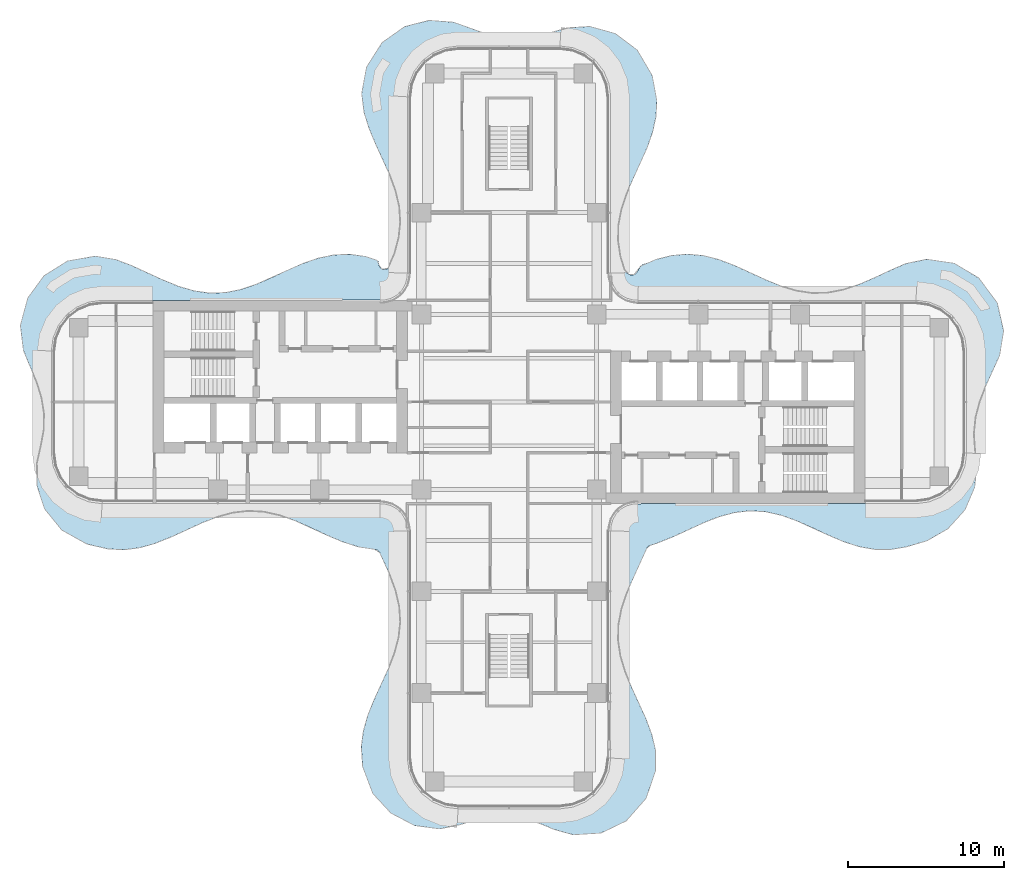
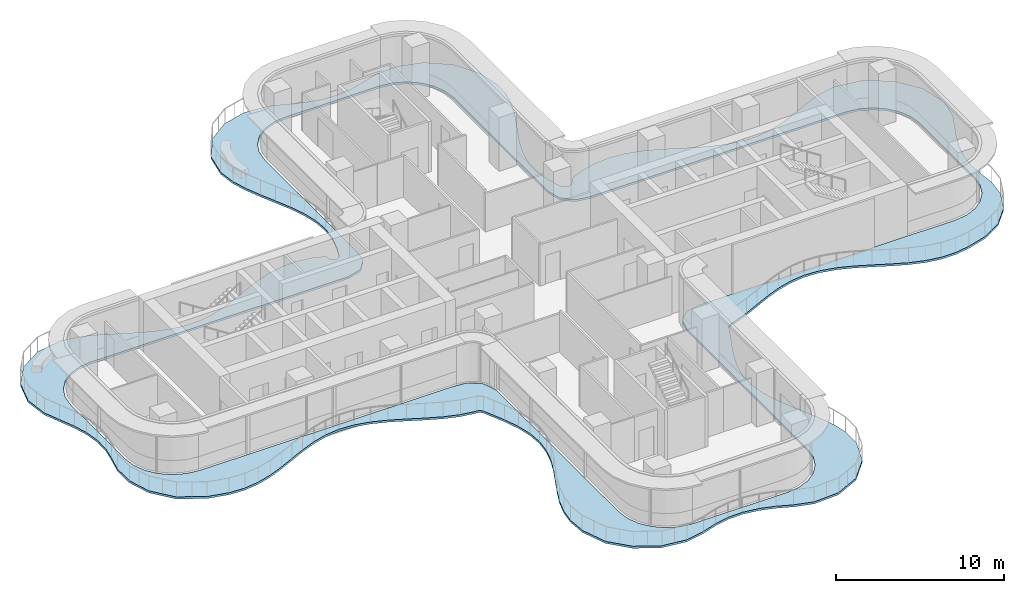
# One storey, part 10 of 18: 1 slab.
"""IFC4 building model written with IfcOpenShell, lengths in metres."""

from ifc_helpers import new_model, si_unit, direction, frame, origin, place, context, subcontext, project, spatial, polyline, outline, extrude, material, layer, layer_set, type_object, element, save


model = new_model("IFC4")

# Units and contexts
model_context = context("Model", 3, precision=1e-05, world=origin(), true_north=direction((0.0, 1.0)))
body_context = subcontext(model_context, "Body", "Model", "MODEL_VIEW")
ifc_project = project(units=[si_unit("LENGTHUNIT", "METRE"), si_unit("AREAUNIT", "SQUARE_METRE"), si_unit("VOLUMEUNIT", "CUBIC_METRE"), si_unit("PLANEANGLEUNIT", "RADIAN"), si_unit("MASSUNIT", "GRAM", prefix="KILO")], contexts=[model_context])

# Site, building, storey
site_placement = place(None, origin())
site = spatial("IfcSite", under=ifc_project, at=site_placement, CompositionType="ELEMENT")
building_placement = place(site_placement, origin())
building = spatial("IfcBuilding", under=site, at=building_placement, Name="Trellis Farm Tower", CompositionType="ELEMENT")
storey_placement = place(building_placement, frame((0.0, 0.0, 204.89990234375)))
storey = spatial("IfcBuildingStorey", under=building, at=storey_placement, Name="L45", CompositionType="ELEMENT", Elevation=204.89990234375)

# Slab
ifc_material = material(Name="Concrete C40/50", Category="concrete")
ifc_layer = layer(ifc_material, 0.14990234375)
ifc_layer_set = layer_set([ifc_layer], Name="Balcony slab 150")
slab_type = type_object("IfcSlabType", Name="Balcony slab 150", PredefinedType="FLOOR", material=ifc_layer_set)
slab_placement = place(storey_placement, frame((0.0, 0.0, -0.14990234375)))
element("IfcSlab", 1, at=slab_placement, inside=storey, type_object=slab_type, Name="Balcony slab", PredefinedType="FLOOR", context=body_context, shape_type="SweptSolid", body=[
    extrude(outline(polyline([(-8.623779296875, -9.4111328125), (-8.690185546875, -9.416259765625), (-8.727783203125, -9.414306640625), (-9.640380859375, -9.25341796875), (-9.66015625, -9.248291015625), (-10.645263671875, -8.93212890625), (-10.65771484375, -8.927490234375), (-11.650390625, -8.5068359375), (-11.6552734375, -8.504638671875), (-12.654541015625, -8.0380859375), (-12.656005859375, -8.03759765625), (-13.658447265625, -7.593017578125), (-13.66357421875, -7.591064453125), (-14.662353515625, -7.23388671875), (-14.67138671875, -7.2314453125), (-15.664794921875, -7.01171875), (-15.6767578125, -7.010009765625), (-16.662841796875, -6.955810546875), (-16.675537109375, -6.956298828125), (-17.656005859375, -7.072021484375), (-17.666748046875, -7.07421875), (-18.610107421875, -7.3310546875), (-18.61767578125, -7.33349609375), (-19.6357421875, -7.731689453125), (-19.639892578125, -7.7333984375), (-21.614501953125, -8.640869140625), (-21.62158203125, -8.643798828125), (-22.60302734375, -9.03515625), (-22.617919921875, -9.040283203125), (-23.59228515625, -9.31494140625), (-23.614013671875, -9.319580078125), (-24.583984375, -9.4423828125), (-24.6103515625, -9.443359375), (-25.610595703125, -9.393798828125), (-25.63720703125, -9.39013671875), (-26.970703125, -9.080078125), (-27.010009765625, -9.06494140625), (-28.575439453125, -8.188232421875), (-28.599365234375, -8.17138671875), (-28.62744140625, -8.147705078125), (-28.6474609375, -8.126953125), (-29.66943359375, -6.845703125), (-29.6845703125, -6.822998046875), (-29.701416015625, -6.79150390625), (-29.7119140625, -6.7666015625), (-30.16748046875, -5.337646484375), (-30.174560546875, -5.291748046875), (-30.173095703125, -3.90966796875), (-30.16943359375, -3.876953125), (-29.915771484375, -2.74609375), (-29.915283203125, -2.743408203125), (-29.7373046875, -1.790283203125), (-29.736083984375, -1.777587890625), (-29.71923828125, -0.735107421875), (-29.72021484375, -0.72216796875), (-29.87646484375, 0.257080078125), (-29.87890625, 0.26708984375), (-30.169677734375, 1.215576171875), (-30.172119140625, 1.222412109375), (-31.03173828125, 3.2958984375), (-31.042236328125, 3.33544921875), (-31.224609375, 4.862548828125), (-31.22509765625, 4.891845703125), (-31.222412109375, 4.9287109375), (-31.217529296875, 4.956787109375), (-30.7587890625, 6.623779296875), (-30.749267578125, 6.6494140625), (-30.733642578125, 6.68115234375), (-30.719482421875, 6.70458984375), (-29.737060546875, 8.042724609375), (-29.718017578125, 8.06396484375), (-29.69091796875, 8.089111328125), (-29.668212890625, 8.1064453125), (-28.240478515625, 8.993896484375), (-28.21435546875, 9.0068359375), (-28.179443359375, 9.02001953125), (-28.1513671875, 9.027587890625), (-26.4501953125, 9.31884765625), (-26.3994140625, 9.31884765625), (-25.13134765625, 9.10107421875), (-25.103271484375, 9.09326171875), (-24.13525390625, 8.724853515625), (-24.126220703125, 8.720947265625), (-22.15087890625, 7.81494140625), (-22.148193359375, 7.813720703125), (-21.132568359375, 7.3994140625), (-21.12548828125, 7.396728515625), (-20.129150390625, 7.103515625), (-20.118408203125, 7.10107421875), (-19.128662109375, 6.962158203125), (-19.11572265625, 6.96142578125), (-18.13330078125, 6.9931640625), (-18.120849609375, 6.994384765625), (-17.141845703125, 7.190185546875), (-17.13232421875, 7.192626953125), (-16.152099609375, 7.525634765625), (-16.146240234375, 7.52783203125), (-15.17138671875, 7.9501953125), (-15.169189453125, 7.950927734375), (-14.168701171875, 8.418701171875), (-14.165283203125, 8.42041015625), (-13.171142578125, 8.854248046875), (-13.160400390625, 8.858642578125), (-12.195556640625, 9.192138671875), (-12.177001953125, 9.197265625), (-11.20556640625, 9.3994140625), (-11.1806640625, 9.40234375), (-10.1806640625, 9.4404296875), (-10.154296875, 9.439208984375), (-9.183837890625, 9.304931640625), (-9.15625, 9.29833984375), (-8.42822265625, 9.05078125), (-8.357177734375, 8.99951171875), (-8.326904296875, 8.917236328125), (-8.319580078125, 8.79248046875), (-8.31591796875, 8.772705078125), (-8.26513671875, 8.6240234375), (-8.242919921875, 8.59130859375), (-8.130615234375, 8.496826171875), (-8.094482421875, 8.48046875), (-7.94970703125, 8.457763671875), (-7.910400390625, 8.46240234375), (-7.7744140625, 8.517578125), (-7.743408203125, 8.541748046875), (-7.6494140625, 8.667724609375), (-7.6396484375, 8.685302734375), (-7.32470703125, 9.49951171875), (-7.322021484375, 9.507080078125), (-7.06201171875, 10.486328125), (-7.06005859375, 10.49755859375), (-6.95458984375, 11.47802734375), (-6.954345703125, 11.490966796875), (-7.01904296875, 12.477294921875), (-7.02099609375, 12.4892578125), (-7.250244140625, 13.483154296875), (-7.2529296875, 13.491943359375), (-7.616943359375, 14.490478515625), (-7.619140625, 14.49609375), (-8.530517578125, 16.492919921875), (-8.532470703125, 16.497314453125), (-8.950927734375, 17.495849609375), (-8.955810546875, 17.50927734375), (-9.26318359375, 18.49365234375), (-9.268798828125, 18.519287109375), (-9.4169921875, 19.67626953125), (-9.416015625, 19.72216796875), (-9.12109375, 21.343994140625), (-9.11328125, 21.371826171875), (-9.099609375, 21.40673828125), (-9.08642578125, 21.4326171875), (-8.1103515625, 22.968017578125), (-8.092041015625, 22.9912109375), (-8.0654296875, 23.01904296875), (-8.043212890625, 23.038330078125), (-6.71923828125, 23.9619140625), (-6.696044921875, 23.97509765625), (-6.664306640625, 23.98974609375), (-6.63916015625, 23.998779296875), (-5.1318359375, 24.385986328125), (-5.082763671875, 24.390380859375), (-3.552490234375, 24.270751953125), (-3.51318359375, 24.262451171875), (-1.359130859375, 23.48388671875), (-1.35009765625, 23.4814453125), (-0.41259765625, 23.269775390625), (-0.40087890625, 23.26806640625), (0.58056640625, 23.204345703125), (0.59375, 23.20458984375), (1.6337890625, 23.322021484375), (1.645751953125, 23.324462890625), (3.730224609375, 23.911376953125), (3.761962890625, 23.916748046875), (5.149169921875, 23.99951171875), (5.1982421875, 23.994384765625), (6.730712890625, 23.56884765625), (6.75732421875, 23.55859375), (6.7890625, 23.54296875), (6.8125, 23.528564453125), (8.171142578125, 22.5068359375), (8.193115234375, 22.48681640625), (8.21875, 22.457763671875), (8.236328125, 22.43359375), (9.13623046875, 20.885009765625), (9.147216796875, 20.86181640625), (9.158935546875, 20.830322265625), (9.165771484375, 20.804931640625), (9.441650390625, 19.278564453125), (9.44384765625, 19.244384765625), (9.394287109375, 18.251220703125), (9.39111328125, 18.226806640625), (9.179443359375, 17.255126953125), (9.17431640625, 17.237060546875), (8.828369140625, 16.259033203125), (8.82421875, 16.24853515625), (8.3896484375, 15.262939453125), (8.38818359375, 15.260009765625), (7.922119140625, 14.262451171875), (7.921142578125, 14.26025390625), (7.492919921875, 13.258544921875), (7.49072265625, 13.25244140625), (7.17578125, 12.30029296875), (7.17333984375, 12.290771484375), (6.9873046875, 11.3115234375), (6.986083984375, 11.29931640625), (6.965087890625, 10.31640625), (6.9658203125, 10.303466796875), (7.114990234375, 9.31494140625), (7.117431640625, 9.3037109375), (7.384521484375, 8.44384765625), (7.39599609375, 8.42138671875), (7.51953125, 8.25634765625), (7.53759765625, 8.239013671875), (7.642822265625, 8.168701171875), (7.65869140625, 8.160400390625), (7.7880859375, 8.11279296875), (7.82275390625, 8.10888671875), (7.950927734375, 8.12451171875), (7.9833984375, 8.136962890625), (8.09765625, 8.214599609375), (8.11083984375, 8.226318359375), (8.162353515625, 8.283447265625), (8.17041015625, 8.294189453125), (8.41015625, 8.680908203125), (8.441162109375, 8.716796875), (8.48828125, 8.75634765625), (8.531005859375, 8.781494140625), (9.426025390625, 9.12353515625), (9.44384765625, 9.129150390625), (10.395751953125, 9.3623046875), (10.4189453125, 9.3662109375), (11.38916015625, 9.447509765625), (11.415283203125, 9.447509765625), (12.388427734375, 9.360107421875), (12.411865234375, 9.35595703125), (13.41162109375, 9.102783203125), (13.42822265625, 9.09765625), (14.40771484375, 8.724853515625), (14.416748046875, 8.720947265625), (16.39208984375, 7.81494140625), (16.39501953125, 7.813720703125), (17.3779296875, 7.41064453125), (17.384765625, 7.408203125), (18.364501953125, 7.1142578125), (18.375, 7.112060546875), (19.3544921875, 6.9658203125), (19.3671875, 6.96484375), (20.351806640625, 6.98681640625), (20.3642578125, 6.988037109375), (21.356201171875, 7.17822265625), (21.365966796875, 7.1806640625), (22.364013671875, 7.51513671875), (22.369873046875, 7.517578125), (23.37158203125, 7.9501953125), (23.373779296875, 7.950927734375), (24.3701171875, 8.4169921875), (24.373779296875, 8.41845703125), (25.339111328125, 8.8408203125), (25.368896484375, 8.85009765625), (26.673583984375, 9.119384765625), (26.69970703125, 9.122314453125), (26.7333984375, 9.123291015625), (26.759521484375, 9.12158203125), (28.38037109375, 8.8828125), (28.408935546875, 8.875732421875), (28.444580078125, 8.863037109375), (28.47119140625, 8.8505859375), (30.014892578125, 7.928466796875), (30.038818359375, 7.910888671875), (30.0673828125, 7.884765625), (30.08740234375, 7.862548828125), (31.171142578125, 6.388427734375), (31.186767578125, 6.36181640625), (31.203369140625, 6.32568359375), (31.213134765625, 6.29638671875), (31.60595703125, 4.559814453125), (31.609619140625, 4.531005859375), (31.610595703125, 4.493896484375), (31.6083984375, 4.46435546875), (31.360595703125, 3.006591796875), (31.34912109375, 2.9697265625), (30.448486328125, 0.989013671875), (30.447021484375, 0.985107421875), (30.07470703125, 0.02197265625), (30.072021484375, 0.014404296875), (29.812255859375, -0.964599609375), (29.81005859375, -0.976318359375), (29.70361328125, -2.01708984375), (29.703369140625, -2.030029296875), (29.77099609375, -2.9873046875), (29.771240234375, -2.989501953125), (29.889404296875, -4.142822265625), (29.889404296875, -4.173583984375), (29.760009765625, -5.431396484375), (29.748779296875, -5.47509765625), (29.158447265625, -6.85400390625), (29.132568359375, -6.894775390625), (28.0869140625, -8.06640625), (28.0498046875, -8.096435546875), (26.717529296875, -8.863037109375), (26.685302734375, -8.876953125), (25.389404296875, -9.259521484375), (25.37158203125, -9.263671875), (24.401123046875, -9.42626953125), (24.3759765625, -9.42822265625), (23.40478515625, -9.42529296875), (23.37939453125, -9.423095703125), (22.402587890625, -9.25341796875), (22.382568359375, -9.248291015625), (21.397705078125, -8.93212890625), (21.38525390625, -8.927490234375), (20.392578125, -8.5068359375), (20.3876953125, -8.504638671875), (19.394287109375, -8.041015625), (19.39306640625, -8.040283203125), (18.407958984375, -7.6025390625), (18.403076171875, -7.6005859375), (17.422119140625, -7.24609375), (17.4130859375, -7.243408203125), (16.37841796875, -7.01171875), (16.3662109375, -7.010009765625), (15.380126953125, -6.955810546875), (15.3671875, -6.956298828125), (14.38720703125, -7.072021484375), (14.376220703125, -7.07421875), (13.39697265625, -7.343017578125), (13.389404296875, -7.345458984375), (12.406982421875, -7.731689453125), (12.4033203125, -7.7333984375), (10.419921875, -8.644287109375), (10.412841796875, -8.6474609375), (9.4384765625, -9.03564453125), (9.425048828125, -9.040283203125), (9.02880859375, -9.15625), (9.013916015625, -9.162353515625), (8.90234375, -9.223388671875), (8.87841796875, -9.244384765625), (8.802978515625, -9.3466796875), (8.794921875, -9.36083984375), (8.3896484375, -10.280029296875), (8.38818359375, -10.283203125), (7.922119140625, -11.280517578125), (7.921142578125, -11.28271484375), (7.503662109375, -12.25634765625), (7.501220703125, -12.262451171875), (7.17578125, -13.24267578125), (7.17333984375, -13.252197265625), (6.9873046875, -14.2314453125), (6.986083984375, -14.24365234375), (6.965087890625, -15.226806640625), (6.9658203125, -15.239501953125), (7.115234375, -16.229736328125), (7.11767578125, -16.240234375), (7.419677734375, -17.23681640625), (7.422119140625, -17.243896484375), (7.841552734375, -18.258544921875), (7.842529296875, -18.260986328125), (8.7470703125, -20.236083984375), (8.751220703125, -20.246337890625), (9.12353515625, -21.244384765625), (9.12890625, -21.261962890625), (9.364013671875, -22.24365234375), (9.3681640625, -22.279296875), (9.361572265625, -23.563232421875), (9.353271484375, -23.611572265625), (8.760009765625, -25.322509765625), (8.74755859375, -25.349609375), (8.728515625, -25.3818359375), (8.711181640625, -25.405517578125), (7.51513671875, -26.74658203125), (7.4931640625, -26.766845703125), (7.462158203125, -26.7900390625), (7.4365234375, -26.805419921875), (5.883544921875, -27.5419921875), (5.85693359375, -27.5517578125), (5.821533203125, -27.560791015625), (5.792724609375, -27.5654296875), (4.142578125, -27.660400390625), (4.093505859375, -27.65478515625), (2.888671875, -27.31591796875), (2.87255859375, -27.310302734375), (1.8935546875, -26.91064453125), (1.88671875, -26.908203125), (0.9072265625, -26.6142578125), (0.896484375, -26.612060546875), (-0.142822265625, -26.462158203125), (-0.156005859375, -26.46142578125), (-1.13818359375, -26.4931640625), (-1.150634765625, -26.494384765625), (-2.12841796875, -26.689208984375), (-2.136962890625, -26.69140625), (-3.146240234375, -27.01953125), (-3.1630859375, -27.02392578125), (-4.424560546875, -27.27734375), (-4.474365234375, -27.279052734375), (-6.024658203125, -27.068359375), (-6.05126953125, -27.062255859375), (-6.08349609375, -27.0517578125), (-6.107421875, -27.04150390625), (-7.552001953125, -26.2666015625), (-7.591552734375, -26.235595703125), (-8.69921875, -25.025390625), (-8.716796875, -25.002197265625), (-8.7353515625, -24.9716796875), (-8.747802734375, -24.94580078125), (-9.345947265625, -23.33740234375), (-9.35498046875, -23.29541015625), (-9.44091796875, -22.033935546875), (-9.43994140625, -22.00439453125), (-9.3115234375, -21.02880859375), (-9.306884765625, -21.006591796875), (-9.018310546875, -20.00732421875), (-9.01318359375, -19.99267578125), (-8.6162109375, -19.0107421875), (-8.613525390625, -19.00439453125), (-7.706787109375, -17.029541015625), (-7.704833984375, -17.025390625), (-7.32470703125, -16.04345703125), (-7.322021484375, -16.03564453125), (-7.06201171875, -15.056396484375), (-7.06005859375, -15.04541015625), (-6.95458984375, -14.06494140625), (-6.954345703125, -14.052001953125), (-7.01904296875, -13.065673828125), (-7.02099609375, -13.0537109375), (-7.250244140625, -12.059814453125), (-7.2529296875, -12.051025390625), (-7.626220703125, -11.02978515625), (-7.628173828125, -11.024658203125), (-8.263916015625, -9.6220703125), (-8.27685546875, -9.602783203125), (-8.393798828125, -9.47412109375), (-8.431640625, -9.4521484375), (-8.6015625, -9.412841796875), (-8.623779296875, -9.4111328125)]), holes=[polyline([(-7.627197265625, -6.625), (-6.92724609375, -7.08642578125), (-6.892822265625, -7.117919921875), (-6.857421875, -7.162109375), (-6.83349609375, -7.2041015625), (-6.5205078125, -8.05517578125), (-6.51123046875, -8.105224609375), (-6.50048828125, -8.99609375), (-6.50048828125, -22.75), (-6.389892578125, -23.59130859375), (-6.065185546875, -24.375244140625), (-5.548583984375, -25.048583984375), (-4.875244140625, -25.565185546875), (-4.09130859375, -25.889892578125), (-3.25, -26.00048828125), (3.25, -26.00048828125), (4.09130859375, -25.889892578125), (4.875244140625, -25.565185546875), (5.548583984375, -25.048583984375), (6.065185546875, -24.375244140625), (6.389892578125, -23.59130859375), (6.50048828125, -22.75), (6.50048828125, -8.321044921875), (6.50439453125, -8.290283203125), (6.720458984375, -7.40380859375), (6.737060546875, -7.363037109375), (6.764404296875, -7.31689453125), (6.79150390625, -7.283203125), (7.401611328125, -6.717041015625), (7.43701171875, -6.692626953125), (7.485107421875, -6.668701171875), (7.526611328125, -6.655517578125), (8.429931640625, -6.502197265625), (8.44775390625, -6.50048828125), (26.0, -6.50048828125), (26.84130859375, -6.389892578125), (27.625244140625, -6.065185546875), (28.298583984375, -5.548583984375), (28.815185546875, -4.875244140625), (29.139892578125, -4.09130859375), (29.25048828125, -3.25), (29.25048828125, 3.25), (29.139892578125, 4.09130859375), (28.815185546875, 4.875244140625), (28.298583984375, 5.548583984375), (27.625244140625, 6.065185546875), (26.84130859375, 6.389892578125), (26.0, 6.50048828125), (8.44775390625, 6.50048828125), (8.429931640625, 6.502197265625), (7.526611328125, 6.655517578125), (7.485107421875, 6.668701171875), (7.43701171875, 6.692626953125), (7.401611328125, 6.717041015625), (6.79150390625, 7.283203125), (6.764404296875, 7.31689453125), (6.737060546875, 7.363037109375), (6.720458984375, 7.40380859375), (6.50439453125, 8.290283203125), (6.50048828125, 8.321044921875), (6.50048828125, 19.5), (6.389892578125, 20.34130859375), (6.065185546875, 21.125244140625), (5.548583984375, 21.798583984375), (4.875244140625, 22.315185546875), (4.09130859375, 22.639892578125), (3.25, 22.75048828125), (-3.25, 22.75048828125), (-4.09130859375, 22.639892578125), (-4.875244140625, 22.315185546875), (-5.548583984375, 21.798583984375), (-6.065185546875, 21.125244140625), (-6.389892578125, 20.34130859375), (-6.50048828125, 19.5), (-6.50048828125, 8.536376953125), (-6.501220703125, 8.526611328125), (-6.618408203125, 7.612548828125), (-6.629638671875, 7.572021484375), (-6.650390625, 7.52392578125), (-6.672119140625, 7.48828125), (-7.201171875, 6.84423828125), (-7.23388671875, 6.814697265625), (-7.279052734375, 6.784423828125), (-7.320068359375, 6.765380859375), (-8.194091796875, 6.5087890625), (-8.236083984375, 6.502685546875), (-21.365478515625, 6.50048828125), (-26.0, 6.50048828125), (-26.84130859375, 6.389892578125), (-27.625244140625, 6.065185546875), (-28.298583984375, 5.548583984375), (-28.815185546875, 4.875244140625), (-29.139892578125, 4.09130859375), (-29.25048828125, 3.25), (-29.25048828125, -3.25), (-29.139892578125, -4.09130859375), (-28.815185546875, -4.875244140625), (-28.298583984375, -5.548583984375), (-27.625244140625, -6.065185546875), (-26.84130859375, -6.389892578125), (-26.0, -6.50048828125), (-8.66748046875, -6.50048828125), (-8.6669921875, -6.50048828125), (-7.740234375, -6.58544921875), (-7.7041015625, -6.59326171875), (-7.66015625, -6.608642578125), (-7.627197265625, -6.625)])]), origin(), (0.0, 0.0, 1.0), 0.14990234375),
])

save(model, "model.ifc")
